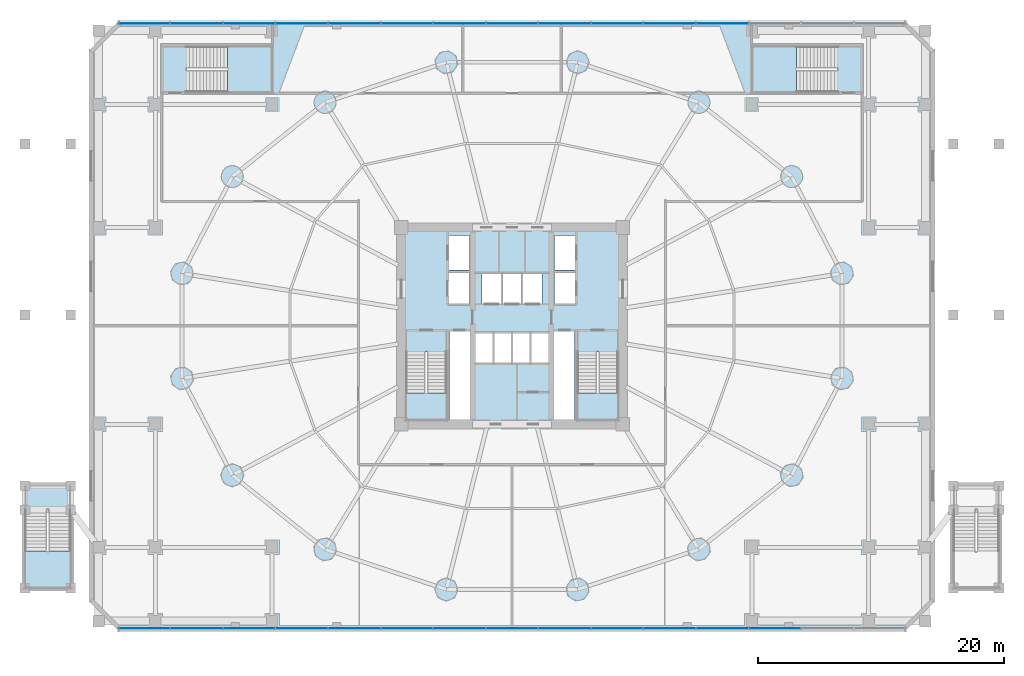
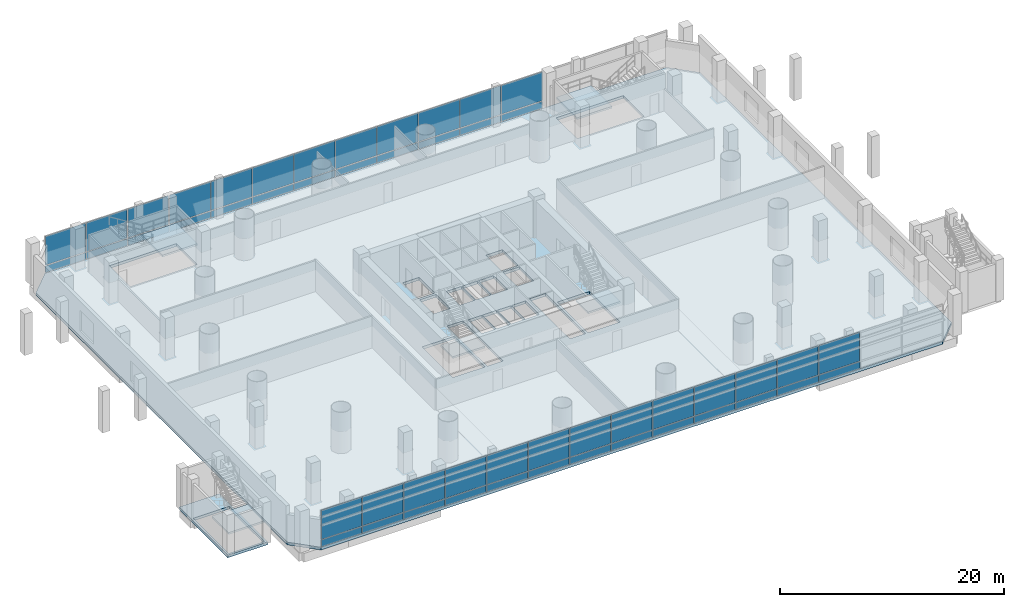
# One storey, part 19 of 36: 50 plates, 7 slabs, 7 elements without a shape of their own.
"""IFC4 building model written with IfcOpenShell, lengths in metres."""

import ifcopenshell
import ifcopenshell.guid

model = None  # the IFC model being written
_history = None  # IfcOwnerHistory: only IFC2X3 demands one
_inside = {}  # id of a spatial element -> (the spatial element, [elements in it])
_under = {}  # id of a project, library or spatial element -> (it, [spatial elements below it])
_declared = {}  # id of a project -> (the project, [libraries it declares])
_typed = {}  # id of a type object -> (the type object, [elements of that type])
_made_of = {}  # id of a material, layer set ... -> (it, [elements and type objects made of it])


def new_model(schema):
    """Start an empty IFC model of exactly this schema.

    Asked for "IFC4X3", IfcOpenShell would pick the latest addendum, in which some entities
    have other attributes; the version numbers below select the first issue.
    IFC2X3 requires an IfcOwnerHistory on every rooted entity: one is made here for all.
    """
    global model, _history
    if schema == "IFC4X3":
        model = ifcopenshell.file(schema_version=(4, 3, 0, 0))
    else:
        model = ifcopenshell.file(schema=schema)
    _inside.clear()
    _under.clear()
    _declared.clear()
    _typed.clear()
    _made_of.clear()
    _history = None
    if model.schema == "IFC2X3":
        org = make("IfcOrganization", Name="unknown")
        user = make(
            "IfcPersonAndOrganization",
            ThePerson=make("IfcPerson", FamilyName="unknown"),
            TheOrganization=org,
        )
        app = make(
            "IfcApplication",
            ApplicationDeveloper=org,
            Version="unknown",
            ApplicationFullName="unknown",
            ApplicationIdentifier="unknown",
        )
        _history = make(
            "IfcOwnerHistory",
            OwningUser=user,
            OwningApplication=app,
            ChangeAction="ADDED",
            CreationDate=0,
        )
    return model


def make(cls, **values):
    """One entity of the class cls with the attributes given. An attribute that is None is left unset."""
    return model.create_entity(
        cls, **{name: value for name, value in values.items() if value is not None}
    )


def rooted(cls, **values):
    """An entity with a GlobalId (a new one), such as an element, a storey or a relation."""
    return make(cls, GlobalId=ifcopenshell.guid.new(), OwnerHistory=_history, **values)


def si_unit(unit_type, name, prefix=None):
    """IfcSIUnit, for example si_unit("LENGTHUNIT", "METRE", prefix="MILLI")."""
    return make("IfcSIUnit", UnitType=unit_type, Prefix=prefix, Name=name)


def assignment(units):
    """IfcUnitAssignment: the units of a project."""
    return None if units is None else make("IfcUnitAssignment", Units=units)


def point(xyz):
    """IfcCartesianPoint."""
    return None if xyz is None else make("IfcCartesianPoint", Coordinates=xyz)


def direction(xyz):
    """IfcDirection."""
    return None if xyz is None else make("IfcDirection", DirectionRatios=xyz)


def frame(location, z_axis=None, x_axis=None):
    """IfcAxis2Placement3D, a coordinate frame: its origin and axes. An axis left out is left unset."""
    return make(
        "IfcAxis2Placement3D",
        Location=point(location),
        Axis=direction(z_axis),
        RefDirection=direction(x_axis),
    )


def frame_2d(location, x_axis=None):
    """IfcAxis2Placement2D, a coordinate frame in the plane: its origin and x axis."""
    return make(
        "IfcAxis2Placement2D", Location=point(location), RefDirection=direction(x_axis)
    )


def origin():
    """The frame at (0, 0, 0) with its axes left unset."""
    return frame((0.0, 0.0, 0.0))


def origin_2d():
    """The frame at (0, 0) in the plane with its x axis left unset."""
    return frame_2d((0.0, 0.0))


def place(relative_to, where):
    """IfcLocalPlacement: puts the frame where relative to a parent placement (None: the world)."""
    return make(
        "IfcLocalPlacement", PlacementRelTo=relative_to, RelativePlacement=where
    )


def context(
    kind, dimensions, precision=None, world=None, true_north=None, identifier=None
):
    """IfcGeometricRepresentationContext, for example the 3D "Model" context."""
    return make(
        "IfcGeometricRepresentationContext",
        ContextIdentifier=identifier,
        ContextType=kind,
        CoordinateSpaceDimension=dimensions,
        Precision=precision,
        WorldCoordinateSystem=world,
        TrueNorth=true_north,
    )


def subcontext(parent, identifier, kind, view, scale=None):
    """IfcGeometricRepresentationSubContext, for example "Body" below "Model"."""
    return make(
        "IfcGeometricRepresentationSubContext",
        ContextIdentifier=identifier,
        ContextType=kind,
        ParentContext=parent,
        TargetScale=scale,
        TargetView=view,
    )


def project(units=None, contexts=None):
    """IfcProject with its units and contexts."""
    return rooted(
        "IfcProject",
        Name="project",
        RepresentationContexts=contexts,
        UnitsInContext=assignment(units),
    )


def spatial(cls, under=None, at=None, **own):
    """A site, building, storey or space (cls), placed at a placement, below another one or the project."""
    s = rooted(cls, ObjectPlacement=at, **own)
    if under is not None:
        _under.setdefault(under.id(), (under, []))[1].append(s)
    return s


def polyline(points):
    """IfcPolyline through the points."""
    return make("IfcPolyline", Points=[point(p) for p in points])


def profile(cls, at=None, kind="AREA", **sizes):
    """A parametric profile (cls). Its sizes go by their IFC names, for example OverallWidth=200.0."""
    return make(cls, ProfileType=kind, Position=at, **sizes)


def rectangle(**sizes):
    """IfcRectangleProfileDef."""
    return profile("IfcRectangleProfileDef", **sizes)


def outline(outer, holes=None, kind="AREA"):
    """IfcArbitraryClosedProfileDef: a profile drawn as a closed curve; with holes, ...WithVoids."""
    if holes is None:
        return make("IfcArbitraryClosedProfileDef", ProfileType=kind, OuterCurve=outer)
    return make(
        "IfcArbitraryProfileDefWithVoids",
        ProfileType=kind,
        OuterCurve=outer,
        InnerCurves=holes,
    )


def extrude(swept, where, along, depth):
    """IfcExtrudedAreaSolid: the profile swept, set in the frame where, extruded along a direction by depth."""
    return make(
        "IfcExtrudedAreaSolid",
        SweptArea=swept,
        Position=where,
        ExtrudedDirection=direction(along),
        Depth=depth,
    )


def shape(context_of_items, identifier, shape_type, items):
    """IfcShapeRepresentation: the items that make up one representation, for example the "Body"."""
    return make(
        "IfcShapeRepresentation",
        ContextOfItems=context_of_items,
        RepresentationIdentifier=identifier,
        RepresentationType=shape_type,
        Items=items,
    )


def source(mapping_origin, context_of_items, identifier, shape_type, items):
    """IfcRepresentationMap: a shape defined once, which mapped items show again and again."""
    return make(
        "IfcRepresentationMap",
        MappingOrigin=mapping_origin,
        MappedRepresentation=shape(context_of_items, identifier, shape_type, items),
    )


def transform(
    local_origin,
    x_axis=None,
    y_axis=None,
    z_axis=None,
    scale=None,
    scale2=None,
    scale3=None,
    uniform=True,
):
    """IfcCartesianTransformationOperator3D, or its non-uniform kind. x_axis, y_axis, z_axis: its Axis1, 2, 3."""
    if uniform:
        return make(
            "IfcCartesianTransformationOperator3D",
            Axis1=direction(x_axis),
            Axis2=direction(y_axis),
            LocalOrigin=point(local_origin),
            Scale=scale,
            Axis3=direction(z_axis),
        )
    return make(
        "IfcCartesianTransformationOperator3DnonUniform",
        Axis1=direction(x_axis),
        Axis2=direction(y_axis),
        LocalOrigin=point(local_origin),
        Scale=scale,
        Axis3=direction(z_axis),
        Scale2=scale2,
        Scale3=scale3,
    )


def mapped(mapping_source, mapping_target):
    """IfcMappedItem: shows the shape of a source again, moved by a transform."""
    return make(
        "IfcMappedItem", MappingSource=mapping_source, MappingTarget=mapping_target
    )


def material(Name=None, Category=None):
    """IfcMaterial."""
    return make("IfcMaterial", Name=Name, Category=Category)


def layer(
    of_material, thickness, ventilated=None, Name=None, Category=None, Priority=None
):
    """IfcMaterialLayer: one layer of a wall or slab, of a material (None: an air gap)."""
    return make(
        "IfcMaterialLayer",
        Material=of_material,
        LayerThickness=thickness,
        IsVentilated=ventilated,
        Name=Name,
        Category=Category,
        Priority=Priority,
    )


def layer_set(layers, Name=None):
    """IfcMaterialLayerSet."""
    return make("IfcMaterialLayerSet", MaterialLayers=layers, LayerSetName=Name)


def made_of(thing, what):
    """Note that an element or type object is made of a material, layer set ...; save() writes the relation."""
    if what is not None:
        _made_of.setdefault(what.id(), (what, []))[1].append(thing)
    return thing


def type_object(cls, material=None, **own):
    """A type object (cls), such as IfcWallType, which elements share."""
    return made_of(rooted(cls, **own), material)


def element(
    cls,
    number,
    at=None,
    inside=None,
    cuts=None,
    type_object=None,
    material=None,
    context=None,
    identifier="Body",
    shape_type=None,
    held_by="IfcProductDefinitionShape",
    body=None,
    shapes=None,
    **own,
):
    """One element of the class cls, such as IfcWall. Its Tag is "e" and its number.

    at: its placement. inside: the storey or other place that contains it. cuts: it is an
    opening in that element (IfcRelVoidsElement). A single representation is given by context,
    identifier, shape_type and body (its items); several are given by shapes. held_by: the class
    of the entity that holds the representations. save() writes the other relations.
    """
    e = rooted(cls, Tag="e%d" % number, ObjectPlacement=at, **own)
    if body is not None:
        shapes = [shape(context, identifier, shape_type, body)]
    if shapes is not None:
        e.Representation = make(held_by, Representations=shapes)
    if inside is not None:
        _inside.setdefault(inside.id(), (inside, []))[1].append(e)
    if cuts is not None:
        rooted(
            "IfcRelVoidsElement", RelatingBuildingElement=cuts, RelatedOpeningElement=e
        )
    if type_object is not None:
        _typed.setdefault(type_object.id(), (type_object, []))[1].append(e)
    return made_of(e, material)


def aggregate(whole, parts):
    """IfcRelAggregates: a whole, such as a stair, and the parts it consists of."""
    return rooted("IfcRelAggregates", RelatingObject=whole, RelatedObjects=parts)


def save(model, path):
    """Write the relations noted so far, then the file.

    IfcRelAggregates (storeys below a building ...), IfcRelContainedInSpatialStructure (elements
    in a storey), IfcRelDefinesByType, IfcRelAssociatesMaterial and IfcRelDeclares: one each for
    every whole, place, type object, material and project.
    """
    for whole, parts in _under.values():
        aggregate(whole, parts)
    for where, things in _inside.values():
        rooted(
            "IfcRelContainedInSpatialStructure",
            RelatedElements=things,
            RelatingStructure=where,
        )
    for kind, things in _typed.values():
        rooted("IfcRelDefinesByType", RelatedObjects=things, RelatingType=kind)
    for what, things in _made_of.values():
        rooted("IfcRelAssociatesMaterial", RelatedObjects=things, RelatingMaterial=what)
    for by, libraries in _declared.values():
        rooted("IfcRelDeclares", RelatingContext=by, RelatedDefinitions=libraries)
    model.write(path)


model = new_model("IFC4")

# Units and contexts
model_context = context("Model", 3, precision=1e-05, world=origin(), true_north=direction((-0.2419218956, 0.970295726276)))
body_context = subcontext(model_context, "Body", "Model", "MODEL_VIEW")
ifc_project = project(units=[si_unit("LENGTHUNIT", "METRE"), si_unit("AREAUNIT", "SQUARE_METRE"), si_unit("VOLUMEUNIT", "CUBIC_METRE"), si_unit("PLANEANGLEUNIT", "RADIAN"), si_unit("MASSUNIT", "GRAM", prefix="KILO")], contexts=[model_context])

# Site, building, storey
site_placement = place(None, origin())
site = spatial("IfcSite", under=ifc_project, at=site_placement, CompositionType="ELEMENT")
building_placement = place(site_placement, origin())
building = spatial("IfcBuilding", under=site, at=building_placement, Name="Cobrevalo Terracotta Tower", CompositionType="ELEMENT")
storey_placement = place(building_placement, frame((0.0, 0.0, 14.39990234375)))
storey = spatial("IfcBuildingStorey", under=building, at=storey_placement, Name="L03", CompositionType="ELEMENT", Elevation=14.39990234375)

# Slabs
ifc_material_1 = material(Name="Concrete C50", Category="concrete")
ifc_layer_1 = layer(ifc_material_1, 0.300048828125)
ifc_layer_set_1 = layer_set([ifc_layer_1], Name="Concrete C50")
slab_type_1 = type_object("IfcSlabType", Name="Podium L01-L03 floor slab 300 mm", PredefinedType="FLOOR", material=ifc_layer_set_1)
slab_1_placement = place(storey_placement, frame((0.0, 0.0, -0.2998046875)))
element("IfcSlab", 1, at=slab_1_placement, inside=storey, type_object=slab_type_1, Name="L03 podium indoor floor slab", PredefinedType="FLOOR", context=body_context, shape_type="SweptSolid", body=[
    extrude(outline(polyline([(3.800048828125, 4.39990234375), (3.800048828125, 49.199951171875), (6.0, 51.39990234375), (70.0, 51.39990234375), (72.199951171875, 49.199951171875), (72.199951171875, 4.39990234375), (70.0, 2.199951171875), (6.0, 2.199951171875), (3.800048828125, 4.39990234375)]), holes=[polyline([(29.375, 19.175048828125), (32.695068359375, 19.175048828125), (32.695068359375, 24.659912109375), (29.375, 24.659912109375), (29.375, 19.175048828125)]), polyline([(34.574951171875, 19.175048828125), (34.574951171875, 26.360107421875), (32.919921875, 26.360107421875), (32.919921875, 19.175048828125), (34.574951171875, 19.175048828125)]), polyline([(36.47998046875, 23.800048828125), (36.47998046875, 26.25), (35.050048828125, 26.25), (35.050048828125, 23.800048828125), (36.47998046875, 23.800048828125)]), polyline([(37.9599609375, 23.800048828125), (37.9599609375, 26.25), (36.530029296875, 26.25), (36.530029296875, 23.800048828125), (37.9599609375, 23.800048828125)]), polyline([(37.1201171875, 28.60009765625), (37.1201171875, 31.050048828125), (35.550048828125, 31.050048828125), (35.550048828125, 28.60009765625), (37.1201171875, 28.60009765625)]), polyline([(38.780029296875, 28.60009765625), (38.780029296875, 31.050048828125), (37.219970703125, 31.050048828125), (37.219970703125, 28.60009765625), (38.780029296875, 28.60009765625)]), polyline([(34.550048828125, 28.60009765625), (34.550048828125, 31.10009765625), (32.85009765625, 31.10009765625), (32.85009765625, 28.60009765625), (34.550048828125, 28.60009765625)]), polyline([(34.550048828125, 31.35009765625), (34.550048828125, 34.14990234375), (32.85009765625, 34.14990234375), (32.85009765625, 31.35009765625), (34.550048828125, 31.35009765625)]), polyline([(18.449951171875, 45.800048828125), (18.449951171875, 49.52001953125), (11.5400390625, 49.52001953125), (11.5400390625, 45.800048828125), (18.449951171875, 45.800048828125)]), polyline([(43.304931640625, 19.175048828125), (46.625, 19.175048828125), (46.625, 24.659912109375), (43.304931640625, 24.659912109375), (43.304931640625, 19.175048828125)]), polyline([(43.080078125, 19.175048828125), (43.080078125, 26.360107421875), (41.425048828125, 26.360107421875), (41.425048828125, 19.175048828125), (43.080078125, 19.175048828125)]), polyline([(39.469970703125, 23.800048828125), (39.469970703125, 26.25), (38.0400390625, 26.25), (38.0400390625, 23.800048828125), (39.469970703125, 23.800048828125)]), polyline([(40.949951171875, 23.800048828125), (40.949951171875, 26.25), (39.52001953125, 26.25), (39.52001953125, 23.800048828125), (40.949951171875, 23.800048828125)]), polyline([(40.449951171875, 28.60009765625), (40.449951171875, 31.050048828125), (38.8798828125, 31.050048828125), (38.8798828125, 28.60009765625), (40.449951171875, 28.60009765625)]), polyline([(43.14990234375, 28.60009765625), (43.14990234375, 31.10009765625), (41.449951171875, 31.10009765625), (41.449951171875, 28.60009765625), (43.14990234375, 28.60009765625)]), polyline([(41.449951171875, 31.35009765625), (43.14990234375, 31.35009765625), (43.14990234375, 34.14990234375), (41.449951171875, 34.14990234375), (41.449951171875, 31.35009765625)]), polyline([(64.4599609375, 49.52001953125), (57.550048828125, 49.52001953125), (57.550048828125, 45.800048828125), (64.4599609375, 45.800048828125), (64.4599609375, 49.52001953125)])]), origin(), (0.0, 0.0, 1.0), 0.2998046875),
])
slab_2_placement = place(storey_placement, frame((0.0, 0.0, -0.2998046875)))
element("IfcSlab", 2, at=slab_2_placement, inside=storey, type_object=slab_type_1, Name="L03 West monumental raised-garden stair structural floor landing slab", PredefinedType="FLOOR", context=body_context, shape_type="SweptSolid", body=[
    extrude(outline(polyline([(-1.800048828125, 13.949951171875), (2.320068359375, 13.949951171875), (2.320068359375, 5.300048828125), (-1.800048828125, 5.300048828125), (-1.800048828125, 13.949951171875)]), holes=[polyline([(-1.60009765625, 5.5), (2.1201171875, 5.5), (2.1201171875, 11.800048828125), (-1.60009765625, 11.800048828125), (-1.60009765625, 5.5)])]), origin(), (0.0, 0.0, 1.0), 0.2998046875),
])

# Stair, slab
stair_type_1 = type_object("IfcStairType", Name="Core protected escape dogleg stair 1600", PredefinedType="HALF_TURN_STAIR", material=ifc_material_1)
stair_1_placement = place(storey_placement, origin())
stair_1 = element("IfcStair", 3, at=stair_1_placement, inside=storey, type_object=stair_type_1, Name="L03 Protected exit stair ST-1", PredefinedType="HALF_TURN_STAIR")
ifc_layer_2 = layer(ifc_material_1, 0.199951171875)
ifc_layer_set_2 = layer_set([ifc_layer_2], Name="Concrete C50")
slab_type_2 = type_object("IfcSlabType", Name="Reinforced Concrete Stair Landing 200", PredefinedType="LANDING", material=ifc_layer_set_2)
slab_3_placement = place(storey_placement, frame((0.0, 0.0, 2.050048828125)))
slab_3 = element("IfcSlab", 4, at=slab_3_placement, type_object=slab_type_2, Name="ST-1 landing 1", PredefinedType="LANDING", context=body_context, shape_type="SweptSolid", body=[
    extrude(outline(polyline([(29.375, 21.340087890625), (29.375, 19.175048828125), (32.695068359375, 19.175048828125), (32.695068359375, 21.340087890625), (29.375, 21.340087890625)])), origin(), (0.0, 0.0, 1.0), 0.199951171875),
])
aggregate(stair_1, [slab_3])

stair_2_placement = place(storey_placement, origin())
stair_2 = element("IfcStair", 5, at=stair_2_placement, inside=storey, type_object=stair_type_1, Name="L03 Protected exit stair ST-2", PredefinedType="HALF_TURN_STAIR")
slab_4_placement = place(storey_placement, frame((0.0, 0.0, 2.050048828125)))
slab_4 = element("IfcSlab", 6, at=slab_4_placement, type_object=slab_type_2, Name="ST-2 landing 1", PredefinedType="LANDING", context=body_context, shape_type="SweptSolid", body=[
    extrude(outline(polyline([(43.304931640625, 21.340087890625), (43.304931640625, 19.175048828125), (46.625, 19.175048828125), (46.625, 21.340087890625), (43.304931640625, 21.340087890625)])), origin(), (0.0, 0.0, 1.0), 0.199951171875),
])
aggregate(stair_2, [slab_4])

stair_type_2 = type_object("IfcStairType", Name="Podium concourse escape dogleg stair 1800", PredefinedType="HALF_TURN_STAIR", material=ifc_material_1)
stair_3_placement = place(storey_placement, origin())
stair_3 = element("IfcStair", 7, at=stair_3_placement, inside=storey, type_object=stair_type_2, Name="L03 Protected exit stair ST-P1", PredefinedType="HALF_TURN_STAIR")
slab_5_placement = place(storey_placement, frame((0.0, 0.0, 2.050048828125)))
slab_5 = element("IfcSlab", 8, at=slab_5_placement, type_object=slab_type_2, Name="ST-P1 landing 1", PredefinedType="LANDING", context=body_context, shape_type="SweptSolid", body=[
    extrude(outline(polyline([(14.860107421875, 45.800048828125), (18.449951171875, 45.800048828125), (18.449951171875, 49.52001953125), (14.860107421875, 49.52001953125), (14.860107421875, 45.800048828125)])), origin(), (0.0, 0.0, 1.0), 0.199951171875),
])
aggregate(stair_3, [slab_5])

stair_4_placement = place(storey_placement, origin())
stair_4 = element("IfcStair", 9, at=stair_4_placement, inside=storey, type_object=stair_type_2, Name="L03 Protected exit stair ST-P2", PredefinedType="HALF_TURN_STAIR")
slab_6_placement = place(storey_placement, frame((0.0, 0.0, 2.050048828125)))
slab_6 = element("IfcSlab", 10, at=slab_6_placement, type_object=slab_type_2, Name="ST-P2 landing 1", PredefinedType="LANDING", context=body_context, shape_type="SweptSolid", body=[
    extrude(outline(polyline([(61.139892578125, 49.52001953125), (57.550048828125, 49.52001953125), (57.550048828125, 45.800048828125), (61.139892578125, 45.800048828125), (61.139892578125, 49.52001953125)])), origin(), (0.0, 0.0, 1.0), 0.199951171875),
])
aggregate(stair_4, [slab_6])

ifc_material_2 = material(Name="Precast concrete C45", Category="concrete")
stair_type_3 = type_object("IfcStairType", Name="Monumental raised-garden dogleg stair 1850", PredefinedType="HALF_TURN_STAIR", material=ifc_material_2)
stair_5_placement = place(storey_placement, origin())
stair_5 = element("IfcStair", 11, at=stair_5_placement, inside=storey, type_object=stair_type_3, Name="L03 West monumental raised-garden stair", PredefinedType="HALF_TURN_STAIR")
slab_7_placement = place(storey_placement, frame((0.0, 0.0, 2.050048828125)))
slab_7 = element("IfcSlab", 12, at=slab_7_placement, type_object=slab_type_2, Name="ST-EXT-W landing 1", PredefinedType="LANDING", context=body_context, shape_type="SweptSolid", body=[
    extrude(outline(polyline([(-1.60009765625, 8.489990234375), (-1.60009765625, 5.5), (2.1201171875, 5.5), (2.1201171875, 8.489990234375), (-1.60009765625, 8.489990234375)])), origin(), (0.0, 0.0, 1.0), 0.199951171875),
])
aggregate(stair_5, [slab_7])

# Curtain wall, plate
ifc_material_3 = material(Name="Anodized aluminium", Category="aluminium")
curtain_wall_type = type_object("IfcCurtainWallType", Name="Podium gallery & conservatory curtain wall CW-S2", PredefinedType="NOTDEFINED", material=ifc_material_3)
curtain_wall_1_placement = place(storey_placement, origin())
curtain_wall_1 = element("IfcCurtainWall", 13, at=curtain_wall_1_placement, inside=storey, type_object=curtain_wall_type, Name="L03 curtain wall CW-POD-L03-S", PredefinedType="NOTDEFINED")
ifc_material_4 = material(Name="Terracotta-faced insulated spandrel", Category="masonry")
ifc_layer_3 = layer(ifc_material_4, 0.044921875)
ifc_layer_set_3 = layer_set([ifc_layer_3], Name="Terracotta-faced insulated spandrel")
plate_type_1 = type_object("IfcPlateType", Name="Insulated terracotta-faced spandrel cassette 45 mm", PredefinedType="CURTAIN_PANEL", material=ifc_layer_set_3)
shared_shape_1 = source(origin(), body_context, "Body", "SweptSolid", [
    extrude(rectangle(XDim=4.1533203125, YDim=0.044921875, at=origin_2d()), origin(), (0.0, 0.0, 1.0), 0.739990234375),
])
plate_1_placement = place(storey_placement, frame((8.106689453125, 2.199951171875, 0.0400390625), z_axis=(0.0, 0.0, 1.0), x_axis=(1.0, 0.0, 0.0)))
plate_1 = element("IfcPlate", 14, at=plate_1_placement, type_object=plate_type_1, Name="CW-POD-L03-S terracotta spandrel panel B01", PredefinedType="CURTAIN_PANEL", context=body_context, shape_type="MappedRepresentation", body=[
    mapped(shared_shape_1, transform((0.0, 0.0, 0.0), scale=1.0)),
])

curtain_wall_2_placement = place(storey_placement, origin())
curtain_wall_2 = element("IfcCurtainWall", 15, at=curtain_wall_2_placement, inside=storey, type_object=curtain_wall_type, Name="L03 curtain wall CW-POD-L03-N", PredefinedType="NOTDEFINED")
plate_2_placement = place(storey_placement, frame((8.106689453125, 51.39990234375, 0.0400390625), z_axis=(0.0, 0.0, 1.0), x_axis=(-1.0, 0.0, 0.0)))
plate_2 = element("IfcPlate", 16, at=plate_2_placement, type_object=plate_type_1, Name="CW-POD-L03-N terracotta spandrel panel B15", PredefinedType="CURTAIN_PANEL", context=body_context, shape_type="MappedRepresentation", body=[
    mapped(shared_shape_1, transform((0.0, 0.0, 0.0), scale=1.0)),
])

# Plate
shared_shape_2 = source(origin(), body_context, "Body", "SweptSolid", [
    extrude(rectangle(XDim=4.193359375, YDim=0.044921875, at=origin_2d()), origin(), (0.0, 0.0, 1.0), 0.739990234375),
])
plate_3_placement = place(storey_placement, frame((12.360107421875, 2.199951171875, 0.0400390625), z_axis=(0.0, 0.0, 1.0), x_axis=(1.0, 0.0, 0.0)))
plate_3 = element("IfcPlate", 17, at=plate_3_placement, type_object=plate_type_1, Name="CW-POD-L03-S terracotta spandrel panel B02", PredefinedType="CURTAIN_PANEL", context=body_context, shape_type="MappedRepresentation", body=[
    mapped(shared_shape_2, transform((0.0, 0.0, 0.0), scale=1.0)),
])

plate_4_placement = place(storey_placement, frame((16.63330078125, 2.199951171875, 0.0400390625), z_axis=(0.0, 0.0, 1.0), x_axis=(1.0, 0.0, 0.0)))
plate_4 = element("IfcPlate", 18, at=plate_4_placement, type_object=plate_type_1, Name="CW-POD-L03-S terracotta spandrel panel B03", PredefinedType="CURTAIN_PANEL", context=body_context, shape_type="MappedRepresentation", body=[
    mapped(shared_shape_2, transform((0.0, 0.0, 0.0), scale=1.0)),
])

plate_5_placement = place(storey_placement, frame((20.90673828125, 2.199951171875, 0.0400390625), z_axis=(0.0, 0.0, 1.0), x_axis=(1.0, 0.0, 0.0)))
plate_5 = element("IfcPlate", 19, at=plate_5_placement, type_object=plate_type_1, Name="CW-POD-L03-S terracotta spandrel panel B04", PredefinedType="CURTAIN_PANEL", context=body_context, shape_type="MappedRepresentation", body=[
    mapped(shared_shape_2, transform((0.0, 0.0, 0.0), scale=1.0)),
])

plate_6_placement = place(storey_placement, frame((25.179931640625, 2.199951171875, 0.0400390625), z_axis=(0.0, 0.0, 1.0), x_axis=(1.0, 0.0, 0.0)))
plate_6 = element("IfcPlate", 20, at=plate_6_placement, type_object=plate_type_1, Name="CW-POD-L03-S terracotta spandrel panel B05", PredefinedType="CURTAIN_PANEL", context=body_context, shape_type="MappedRepresentation", body=[
    mapped(shared_shape_2, transform((0.0, 0.0, 0.0), scale=1.0)),
])

plate_7_placement = place(storey_placement, frame((29.453369140625, 2.199951171875, 0.0400390625), z_axis=(0.0, 0.0, 1.0), x_axis=(1.0, 0.0, 0.0)))
plate_7 = element("IfcPlate", 21, at=plate_7_placement, type_object=plate_type_1, Name="CW-POD-L03-S terracotta spandrel panel B06", PredefinedType="CURTAIN_PANEL", context=body_context, shape_type="MappedRepresentation", body=[
    mapped(shared_shape_2, transform((0.0, 0.0, 0.0), scale=1.0)),
])

plate_8_placement = place(storey_placement, frame((33.7265625, 2.199951171875, 0.0400390625), z_axis=(0.0, 0.0, 1.0), x_axis=(1.0, 0.0, 0.0)))
plate_8 = element("IfcPlate", 22, at=plate_8_placement, type_object=plate_type_1, Name="CW-POD-L03-S terracotta spandrel panel B07", PredefinedType="CURTAIN_PANEL", context=body_context, shape_type="MappedRepresentation", body=[
    mapped(shared_shape_2, transform((0.0, 0.0, 0.0), scale=1.0)),
])

plate_9_placement = place(storey_placement, frame((38.0, 2.199951171875, 0.0400390625), z_axis=(0.0, 0.0, 1.0), x_axis=(1.0, 0.0, 0.0)))
plate_9 = element("IfcPlate", 23, at=plate_9_placement, type_object=plate_type_1, Name="CW-POD-L03-S terracotta spandrel panel B08", PredefinedType="CURTAIN_PANEL", context=body_context, shape_type="MappedRepresentation", body=[
    mapped(shared_shape_2, transform((0.0, 0.0, 0.0), scale=1.0)),
])

plate_10_placement = place(storey_placement, frame((42.2734375, 2.199951171875, 0.0400390625), z_axis=(0.0, 0.0, 1.0), x_axis=(1.0, 0.0, 0.0)))
plate_10 = element("IfcPlate", 24, at=plate_10_placement, type_object=plate_type_1, Name="CW-POD-L03-S terracotta spandrel panel B09", PredefinedType="CURTAIN_PANEL", context=body_context, shape_type="MappedRepresentation", body=[
    mapped(shared_shape_2, transform((0.0, 0.0, 0.0), scale=1.0)),
])

plate_11_placement = place(storey_placement, frame((46.546630859375, 2.199951171875, 0.0400390625), z_axis=(0.0, 0.0, 1.0), x_axis=(1.0, 0.0, 0.0)))
plate_11 = element("IfcPlate", 25, at=plate_11_placement, type_object=plate_type_1, Name="CW-POD-L03-S terracotta spandrel panel B10", PredefinedType="CURTAIN_PANEL", context=body_context, shape_type="MappedRepresentation", body=[
    mapped(shared_shape_2, transform((0.0, 0.0, 0.0), scale=1.0)),
])

plate_12_placement = place(storey_placement, frame((50.820068359375, 2.199951171875, 0.0400390625), z_axis=(0.0, 0.0, 1.0), x_axis=(1.0, 0.0, 0.0)))
plate_12 = element("IfcPlate", 26, at=plate_12_placement, type_object=plate_type_1, Name="CW-POD-L03-S terracotta spandrel panel B11", PredefinedType="CURTAIN_PANEL", context=body_context, shape_type="MappedRepresentation", body=[
    mapped(shared_shape_2, transform((0.0, 0.0, 0.0), scale=1.0)),
])

plate_13_placement = place(storey_placement, frame((55.09326171875, 2.199951171875, 0.0400390625), z_axis=(0.0, 0.0, 1.0), x_axis=(1.0, 0.0, 0.0)))
plate_13 = element("IfcPlate", 27, at=plate_13_placement, type_object=plate_type_1, Name="CW-POD-L03-S terracotta spandrel panel B12", PredefinedType="CURTAIN_PANEL", context=body_context, shape_type="MappedRepresentation", body=[
    mapped(shared_shape_2, transform((0.0, 0.0, 0.0), scale=1.0)),
])

plate_14_placement = place(storey_placement, frame((59.36669921875, 2.199951171875, 0.0400390625), z_axis=(0.0, 0.0, 1.0), x_axis=(1.0, 0.0, 0.0)))
plate_14 = element("IfcPlate", 28, at=plate_14_placement, type_object=plate_type_1, Name="CW-POD-L03-S terracotta spandrel panel B13", PredefinedType="CURTAIN_PANEL", context=body_context, shape_type="MappedRepresentation", body=[
    mapped(shared_shape_2, transform((0.0, 0.0, 0.0), scale=1.0)),
])

plate_15_placement = place(storey_placement, frame((55.09326171875, 51.39990234375, 0.0400390625), z_axis=(0.0, 0.0, 1.0), x_axis=(-1.0, 0.0, 0.0)))
plate_15 = element("IfcPlate", 29, at=plate_15_placement, type_object=plate_type_1, Name="CW-POD-L03-N terracotta spandrel panel B04", PredefinedType="CURTAIN_PANEL", context=body_context, shape_type="MappedRepresentation", body=[
    mapped(shared_shape_2, transform((0.0, 0.0, 0.0), scale=1.0)),
])

plate_16_placement = place(storey_placement, frame((50.820068359375, 51.39990234375, 0.0400390625), z_axis=(0.0, 0.0, 1.0), x_axis=(-1.0, 0.0, 0.0)))
plate_16 = element("IfcPlate", 30, at=plate_16_placement, type_object=plate_type_1, Name="CW-POD-L03-N terracotta spandrel panel B05", PredefinedType="CURTAIN_PANEL", context=body_context, shape_type="MappedRepresentation", body=[
    mapped(shared_shape_2, transform((0.0, 0.0, 0.0), scale=1.0)),
])

plate_17_placement = place(storey_placement, frame((46.546630859375, 51.39990234375, 0.0400390625), z_axis=(0.0, 0.0, 1.0), x_axis=(-1.0, 0.0, 0.0)))
plate_17 = element("IfcPlate", 31, at=plate_17_placement, type_object=plate_type_1, Name="CW-POD-L03-N terracotta spandrel panel B06", PredefinedType="CURTAIN_PANEL", context=body_context, shape_type="MappedRepresentation", body=[
    mapped(shared_shape_2, transform((0.0, 0.0, 0.0), scale=1.0)),
])

plate_18_placement = place(storey_placement, frame((42.2734375, 51.39990234375, 0.0400390625), z_axis=(0.0, 0.0, 1.0), x_axis=(-1.0, 0.0, 0.0)))
plate_18 = element("IfcPlate", 32, at=plate_18_placement, type_object=plate_type_1, Name="CW-POD-L03-N terracotta spandrel panel B07", PredefinedType="CURTAIN_PANEL", context=body_context, shape_type="MappedRepresentation", body=[
    mapped(shared_shape_2, transform((0.0, 0.0, 0.0), scale=1.0)),
])

plate_19_placement = place(storey_placement, frame((38.0, 51.39990234375, 0.0400390625), z_axis=(0.0, 0.0, 1.0), x_axis=(-1.0, 0.0, 0.0)))
plate_19 = element("IfcPlate", 33, at=plate_19_placement, type_object=plate_type_1, Name="CW-POD-L03-N terracotta spandrel panel B08", PredefinedType="CURTAIN_PANEL", context=body_context, shape_type="MappedRepresentation", body=[
    mapped(shared_shape_2, transform((0.0, 0.0, 0.0), scale=1.0)),
])

plate_20_placement = place(storey_placement, frame((33.7265625, 51.39990234375, 0.0400390625), z_axis=(0.0, 0.0, 1.0), x_axis=(-1.0, 0.0, 0.0)))
plate_20 = element("IfcPlate", 34, at=plate_20_placement, type_object=plate_type_1, Name="CW-POD-L03-N terracotta spandrel panel B09", PredefinedType="CURTAIN_PANEL", context=body_context, shape_type="MappedRepresentation", body=[
    mapped(shared_shape_2, transform((0.0, 0.0, 0.0), scale=1.0)),
])

plate_21_placement = place(storey_placement, frame((29.453369140625, 51.39990234375, 0.0400390625), z_axis=(0.0, 0.0, 1.0), x_axis=(-1.0, 0.0, 0.0)))
plate_21 = element("IfcPlate", 35, at=plate_21_placement, type_object=plate_type_1, Name="CW-POD-L03-N terracotta spandrel panel B10", PredefinedType="CURTAIN_PANEL", context=body_context, shape_type="MappedRepresentation", body=[
    mapped(shared_shape_2, transform((0.0, 0.0, 0.0), scale=1.0)),
])

plate_22_placement = place(storey_placement, frame((25.179931640625, 51.39990234375, 0.0400390625), z_axis=(0.0, 0.0, 1.0), x_axis=(-1.0, 0.0, 0.0)))
plate_22 = element("IfcPlate", 36, at=plate_22_placement, type_object=plate_type_1, Name="CW-POD-L03-N terracotta spandrel panel B11", PredefinedType="CURTAIN_PANEL", context=body_context, shape_type="MappedRepresentation", body=[
    mapped(shared_shape_2, transform((0.0, 0.0, 0.0), scale=1.0)),
])

plate_23_placement = place(storey_placement, frame((20.90673828125, 51.39990234375, 0.0400390625), z_axis=(0.0, 0.0, 1.0), x_axis=(-1.0, 0.0, 0.0)))
plate_23 = element("IfcPlate", 37, at=plate_23_placement, type_object=plate_type_1, Name="CW-POD-L03-N terracotta spandrel panel B12", PredefinedType="CURTAIN_PANEL", context=body_context, shape_type="MappedRepresentation", body=[
    mapped(shared_shape_2, transform((0.0, 0.0, 0.0), scale=1.0)),
])

plate_24_placement = place(storey_placement, frame((16.63330078125, 51.39990234375, 0.0400390625), z_axis=(0.0, 0.0, 1.0), x_axis=(-1.0, 0.0, 0.0)))
plate_24 = element("IfcPlate", 38, at=plate_24_placement, type_object=plate_type_1, Name="CW-POD-L03-N terracotta spandrel panel B13", PredefinedType="CURTAIN_PANEL", context=body_context, shape_type="MappedRepresentation", body=[
    mapped(shared_shape_2, transform((0.0, 0.0, 0.0), scale=1.0)),
])

plate_25_placement = place(storey_placement, frame((12.360107421875, 51.39990234375, 0.0400390625), z_axis=(0.0, 0.0, 1.0), x_axis=(-1.0, 0.0, 0.0)))
plate_25 = element("IfcPlate", 39, at=plate_25_placement, type_object=plate_type_1, Name="CW-POD-L03-N terracotta spandrel panel B14", PredefinedType="CURTAIN_PANEL", context=body_context, shape_type="MappedRepresentation", body=[
    mapped(shared_shape_2, transform((0.0, 0.0, 0.0), scale=1.0)),
])

ifc_material_5 = material(Name="Laminated low-E double glazing", Category="glass")
ifc_layer_4 = layer(ifc_material_5, 0.031982421875)
ifc_layer_set_4 = layer_set([ifc_layer_4], Name="Laminated low-E double glazing")
plate_type_2 = type_object("IfcPlateType", Name="Podium clear acoustic laminated glazing panel 32 mm", PredefinedType="CURTAIN_PANEL", material=ifc_layer_set_4)
shared_shape_3 = source(origin(), body_context, "Body", "SweptSolid", [
    extrude(rectangle(XDim=4.1533203125, YDim=0.035888671875, at=origin_2d()), origin(), (0.0, 0.0, 1.0), 3.14990234375),
])
plate_26_placement = place(storey_placement, frame((8.106689453125, 2.199951171875, 0.860107421875), z_axis=(0.0, 0.0, 1.0), x_axis=(1.0, 0.0, 0.0)))
plate_26 = element("IfcPlate", 40, at=plate_26_placement, type_object=plate_type_2, Name="CW-POD-L03-S glazing panel B01", PredefinedType="CURTAIN_PANEL", context=body_context, shape_type="MappedRepresentation", body=[
    mapped(shared_shape_3, transform((0.0, 0.0, 0.0), scale=1.0)),
])

plate_27_placement = place(storey_placement, frame((8.106689453125, 51.39990234375, 0.860107421875), z_axis=(0.0, 0.0, 1.0), x_axis=(-1.0, 0.0, 0.0)))
plate_27 = element("IfcPlate", 41, at=plate_27_placement, type_object=plate_type_2, Name="CW-POD-L03-N glazing panel B15", PredefinedType="CURTAIN_PANEL", context=body_context, shape_type="MappedRepresentation", body=[
    mapped(shared_shape_3, transform((0.0, 0.0, 0.0), scale=1.0)),
])

shared_shape_4 = source(origin(), body_context, "Body", "SweptSolid", [
    extrude(rectangle(XDim=4.193359375, YDim=0.035888671875, at=origin_2d()), origin(), (0.0, 0.0, 1.0), 3.14990234375),
])
plate_28_placement = place(storey_placement, frame((12.360107421875, 2.199951171875, 0.860107421875), z_axis=(0.0, 0.0, 1.0), x_axis=(1.0, 0.0, 0.0)))
plate_28 = element("IfcPlate", 42, at=plate_28_placement, type_object=plate_type_2, Name="CW-POD-L03-S glazing panel B02", PredefinedType="CURTAIN_PANEL", context=body_context, shape_type="MappedRepresentation", body=[
    mapped(shared_shape_4, transform((0.0, 0.0, 0.0), scale=1.0)),
])

plate_29_placement = place(storey_placement, frame((16.63330078125, 2.199951171875, 0.860107421875), z_axis=(0.0, 0.0, 1.0), x_axis=(1.0, 0.0, 0.0)))
plate_29 = element("IfcPlate", 43, at=plate_29_placement, type_object=plate_type_2, Name="CW-POD-L03-S glazing panel B03", PredefinedType="CURTAIN_PANEL", context=body_context, shape_type="MappedRepresentation", body=[
    mapped(shared_shape_4, transform((0.0, 0.0, 0.0), scale=1.0)),
])

plate_30_placement = place(storey_placement, frame((20.90673828125, 2.199951171875, 0.860107421875), z_axis=(0.0, 0.0, 1.0), x_axis=(1.0, 0.0, 0.0)))
plate_30 = element("IfcPlate", 44, at=plate_30_placement, type_object=plate_type_2, Name="CW-POD-L03-S glazing panel B04", PredefinedType="CURTAIN_PANEL", context=body_context, shape_type="MappedRepresentation", body=[
    mapped(shared_shape_4, transform((0.0, 0.0, 0.0), scale=1.0)),
])

plate_31_placement = place(storey_placement, frame((25.179931640625, 2.199951171875, 0.860107421875), z_axis=(0.0, 0.0, 1.0), x_axis=(1.0, 0.0, 0.0)))
plate_31 = element("IfcPlate", 45, at=plate_31_placement, type_object=plate_type_2, Name="CW-POD-L03-S glazing panel B05", PredefinedType="CURTAIN_PANEL", context=body_context, shape_type="MappedRepresentation", body=[
    mapped(shared_shape_4, transform((0.0, 0.0, 0.0), scale=1.0)),
])

plate_32_placement = place(storey_placement, frame((29.453369140625, 2.199951171875, 0.860107421875), z_axis=(0.0, 0.0, 1.0), x_axis=(1.0, 0.0, 0.0)))
plate_32 = element("IfcPlate", 46, at=plate_32_placement, type_object=plate_type_2, Name="CW-POD-L03-S glazing panel B06", PredefinedType="CURTAIN_PANEL", context=body_context, shape_type="MappedRepresentation", body=[
    mapped(shared_shape_4, transform((0.0, 0.0, 0.0), scale=1.0)),
])

plate_33_placement = place(storey_placement, frame((33.7265625, 2.199951171875, 0.860107421875), z_axis=(0.0, 0.0, 1.0), x_axis=(1.0, 0.0, 0.0)))
plate_33 = element("IfcPlate", 47, at=plate_33_placement, type_object=plate_type_2, Name="CW-POD-L03-S glazing panel B07", PredefinedType="CURTAIN_PANEL", context=body_context, shape_type="MappedRepresentation", body=[
    mapped(shared_shape_4, transform((0.0, 0.0, 0.0), scale=1.0)),
])

plate_34_placement = place(storey_placement, frame((38.0, 2.199951171875, 0.860107421875), z_axis=(0.0, 0.0, 1.0), x_axis=(1.0, 0.0, 0.0)))
plate_34 = element("IfcPlate", 48, at=plate_34_placement, type_object=plate_type_2, Name="CW-POD-L03-S glazing panel B08", PredefinedType="CURTAIN_PANEL", context=body_context, shape_type="MappedRepresentation", body=[
    mapped(shared_shape_4, transform((0.0, 0.0, 0.0), scale=1.0)),
])

plate_35_placement = place(storey_placement, frame((42.2734375, 2.199951171875, 0.860107421875), z_axis=(0.0, 0.0, 1.0), x_axis=(1.0, 0.0, 0.0)))
plate_35 = element("IfcPlate", 49, at=plate_35_placement, type_object=plate_type_2, Name="CW-POD-L03-S glazing panel B09", PredefinedType="CURTAIN_PANEL", context=body_context, shape_type="MappedRepresentation", body=[
    mapped(shared_shape_4, transform((0.0, 0.0, 0.0), scale=1.0)),
])

plate_36_placement = place(storey_placement, frame((46.546630859375, 2.199951171875, 0.860107421875), z_axis=(0.0, 0.0, 1.0), x_axis=(1.0, 0.0, 0.0)))
plate_36 = element("IfcPlate", 50, at=plate_36_placement, type_object=plate_type_2, Name="CW-POD-L03-S glazing panel B10", PredefinedType="CURTAIN_PANEL", context=body_context, shape_type="MappedRepresentation", body=[
    mapped(shared_shape_4, transform((0.0, 0.0, 0.0), scale=1.0)),
])

plate_37_placement = place(storey_placement, frame((50.820068359375, 2.199951171875, 0.860107421875), z_axis=(0.0, 0.0, 1.0), x_axis=(1.0, 0.0, 0.0)))
plate_37 = element("IfcPlate", 51, at=plate_37_placement, type_object=plate_type_2, Name="CW-POD-L03-S glazing panel B11", PredefinedType="CURTAIN_PANEL", context=body_context, shape_type="MappedRepresentation", body=[
    mapped(shared_shape_4, transform((0.0, 0.0, 0.0), scale=1.0)),
])

plate_38_placement = place(storey_placement, frame((55.09326171875, 2.199951171875, 0.860107421875), z_axis=(0.0, 0.0, 1.0), x_axis=(1.0, 0.0, 0.0)))
plate_38 = element("IfcPlate", 52, at=plate_38_placement, type_object=plate_type_2, Name="CW-POD-L03-S glazing panel B12", PredefinedType="CURTAIN_PANEL", context=body_context, shape_type="MappedRepresentation", body=[
    mapped(shared_shape_4, transform((0.0, 0.0, 0.0), scale=1.0)),
])

plate_39_placement = place(storey_placement, frame((59.36669921875, 2.199951171875, 0.860107421875), z_axis=(0.0, 0.0, 1.0), x_axis=(1.0, 0.0, 0.0)))
plate_39 = element("IfcPlate", 53, at=plate_39_placement, type_object=plate_type_2, Name="CW-POD-L03-S glazing panel B13", PredefinedType="CURTAIN_PANEL", context=body_context, shape_type="MappedRepresentation", body=[
    mapped(shared_shape_4, transform((0.0, 0.0, 0.0), scale=1.0)),
])

aggregate(curtain_wall_1, [plate_1, plate_26, plate_3, plate_28, plate_4, plate_29, plate_5, plate_30, plate_6, plate_31, plate_7, plate_32, plate_8, plate_33, plate_9, plate_34, plate_10, plate_35, plate_11, plate_36, plate_12, plate_37, plate_13, plate_38, plate_14, plate_39])

plate_40_placement = place(storey_placement, frame((55.09326171875, 51.39990234375, 0.860107421875), z_axis=(0.0, 0.0, 1.0), x_axis=(-1.0, 0.0, 0.0)))
plate_40 = element("IfcPlate", 54, at=plate_40_placement, type_object=plate_type_2, Name="CW-POD-L03-N glazing panel B04", PredefinedType="CURTAIN_PANEL", context=body_context, shape_type="MappedRepresentation", body=[
    mapped(shared_shape_4, transform((0.0, 0.0, 0.0), scale=1.0)),
])

plate_41_placement = place(storey_placement, frame((50.820068359375, 51.39990234375, 0.860107421875), z_axis=(0.0, 0.0, 1.0), x_axis=(-1.0, 0.0, 0.0)))
plate_41 = element("IfcPlate", 55, at=plate_41_placement, type_object=plate_type_2, Name="CW-POD-L03-N glazing panel B05", PredefinedType="CURTAIN_PANEL", context=body_context, shape_type="MappedRepresentation", body=[
    mapped(shared_shape_4, transform((0.0, 0.0, 0.0), scale=1.0)),
])

plate_42_placement = place(storey_placement, frame((46.546630859375, 51.39990234375, 0.860107421875), z_axis=(0.0, 0.0, 1.0), x_axis=(-1.0, 0.0, 0.0)))
plate_42 = element("IfcPlate", 56, at=plate_42_placement, type_object=plate_type_2, Name="CW-POD-L03-N glazing panel B06", PredefinedType="CURTAIN_PANEL", context=body_context, shape_type="MappedRepresentation", body=[
    mapped(shared_shape_4, transform((0.0, 0.0, 0.0), scale=1.0)),
])

plate_43_placement = place(storey_placement, frame((42.2734375, 51.39990234375, 0.860107421875), z_axis=(0.0, 0.0, 1.0), x_axis=(-1.0, 0.0, 0.0)))
plate_43 = element("IfcPlate", 57, at=plate_43_placement, type_object=plate_type_2, Name="CW-POD-L03-N glazing panel B07", PredefinedType="CURTAIN_PANEL", context=body_context, shape_type="MappedRepresentation", body=[
    mapped(shared_shape_4, transform((0.0, 0.0, 0.0), scale=1.0)),
])

plate_44_placement = place(storey_placement, frame((38.0, 51.39990234375, 0.860107421875), z_axis=(0.0, 0.0, 1.0), x_axis=(-1.0, 0.0, 0.0)))
plate_44 = element("IfcPlate", 58, at=plate_44_placement, type_object=plate_type_2, Name="CW-POD-L03-N glazing panel B08", PredefinedType="CURTAIN_PANEL", context=body_context, shape_type="MappedRepresentation", body=[
    mapped(shared_shape_4, transform((0.0, 0.0, 0.0), scale=1.0)),
])

plate_45_placement = place(storey_placement, frame((33.7265625, 51.39990234375, 0.860107421875), z_axis=(0.0, 0.0, 1.0), x_axis=(-1.0, 0.0, 0.0)))
plate_45 = element("IfcPlate", 59, at=plate_45_placement, type_object=plate_type_2, Name="CW-POD-L03-N glazing panel B09", PredefinedType="CURTAIN_PANEL", context=body_context, shape_type="MappedRepresentation", body=[
    mapped(shared_shape_4, transform((0.0, 0.0, 0.0), scale=1.0)),
])

plate_46_placement = place(storey_placement, frame((29.453369140625, 51.39990234375, 0.860107421875), z_axis=(0.0, 0.0, 1.0), x_axis=(-1.0, 0.0, 0.0)))
plate_46 = element("IfcPlate", 60, at=plate_46_placement, type_object=plate_type_2, Name="CW-POD-L03-N glazing panel B10", PredefinedType="CURTAIN_PANEL", context=body_context, shape_type="MappedRepresentation", body=[
    mapped(shared_shape_4, transform((0.0, 0.0, 0.0), scale=1.0)),
])

plate_47_placement = place(storey_placement, frame((25.179931640625, 51.39990234375, 0.860107421875), z_axis=(0.0, 0.0, 1.0), x_axis=(-1.0, 0.0, 0.0)))
plate_47 = element("IfcPlate", 61, at=plate_47_placement, type_object=plate_type_2, Name="CW-POD-L03-N glazing panel B11", PredefinedType="CURTAIN_PANEL", context=body_context, shape_type="MappedRepresentation", body=[
    mapped(shared_shape_4, transform((0.0, 0.0, 0.0), scale=1.0)),
])

plate_48_placement = place(storey_placement, frame((20.90673828125, 51.39990234375, 0.860107421875), z_axis=(0.0, 0.0, 1.0), x_axis=(-1.0, 0.0, 0.0)))
plate_48 = element("IfcPlate", 62, at=plate_48_placement, type_object=plate_type_2, Name="CW-POD-L03-N glazing panel B12", PredefinedType="CURTAIN_PANEL", context=body_context, shape_type="MappedRepresentation", body=[
    mapped(shared_shape_4, transform((0.0, 0.0, 0.0), scale=1.0)),
])

plate_49_placement = place(storey_placement, frame((16.63330078125, 51.39990234375, 0.860107421875), z_axis=(0.0, 0.0, 1.0), x_axis=(-1.0, 0.0, 0.0)))
plate_49 = element("IfcPlate", 63, at=plate_49_placement, type_object=plate_type_2, Name="CW-POD-L03-N glazing panel B13", PredefinedType="CURTAIN_PANEL", context=body_context, shape_type="MappedRepresentation", body=[
    mapped(shared_shape_4, transform((0.0, 0.0, 0.0), scale=1.0)),
])

plate_50_placement = place(storey_placement, frame((12.360107421875, 51.39990234375, 0.860107421875), z_axis=(0.0, 0.0, 1.0), x_axis=(-1.0, 0.0, 0.0)))
plate_50 = element("IfcPlate", 64, at=plate_50_placement, type_object=plate_type_2, Name="CW-POD-L03-N glazing panel B14", PredefinedType="CURTAIN_PANEL", context=body_context, shape_type="MappedRepresentation", body=[
    mapped(shared_shape_4, transform((0.0, 0.0, 0.0), scale=1.0)),
])

aggregate(curtain_wall_2, [plate_15, plate_40, plate_16, plate_41, plate_17, plate_42, plate_18, plate_43, plate_19, plate_44, plate_20, plate_45, plate_21, plate_46, plate_22, plate_47, plate_23, plate_48, plate_24, plate_49, plate_25, plate_50, plate_2, plate_27])

save(model, "model.ifc")
